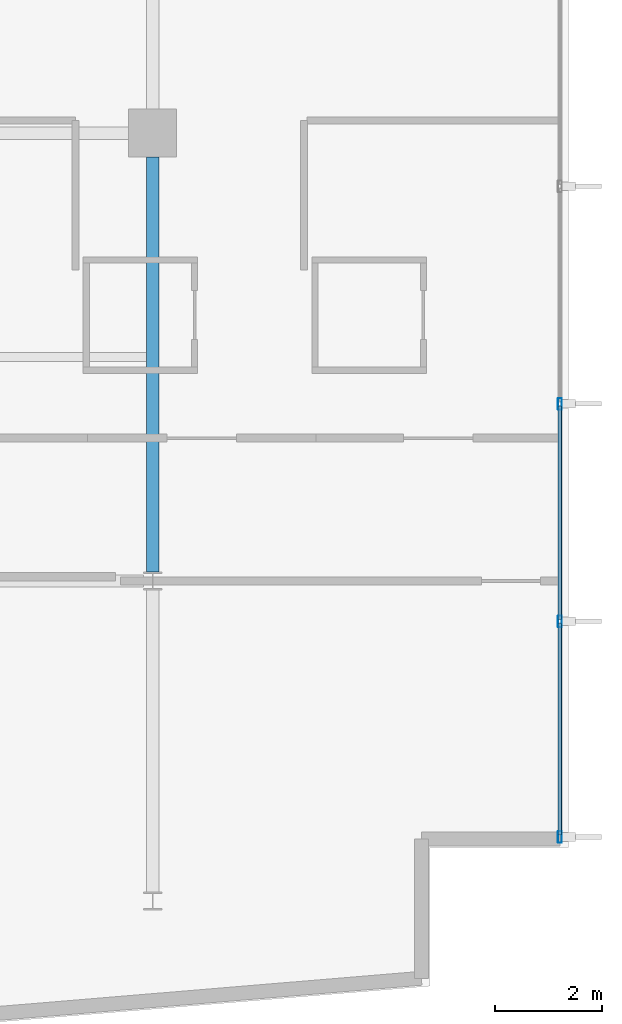
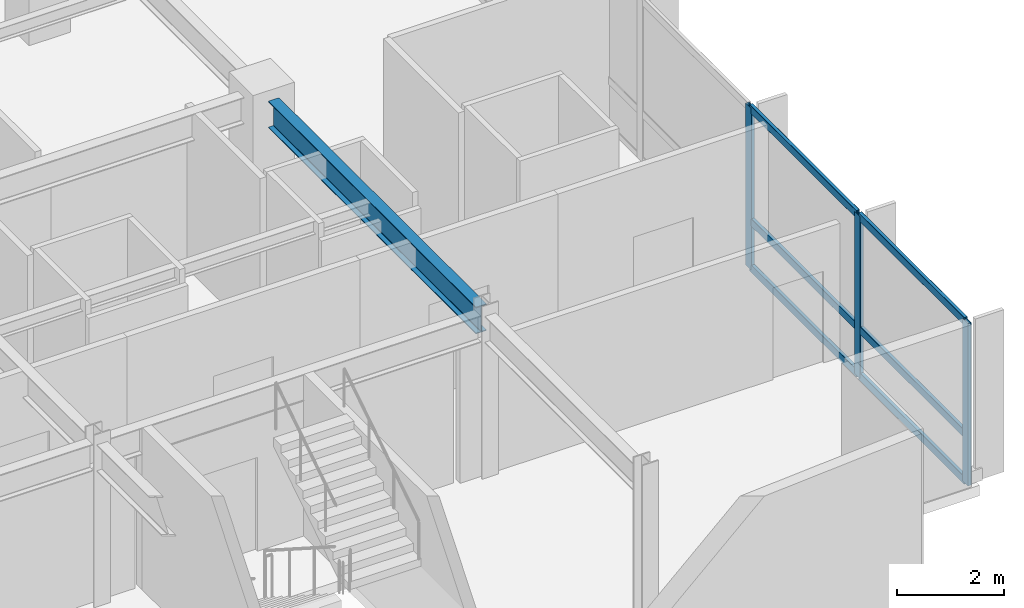
# One storey, part 5 of 21: 9 members, 1 beam, 1 element without a shape of its own.
"""IFC4 building model written with IfcOpenShell, lengths in metres."""

import ifcopenshell
import ifcopenshell.guid

model = None  # the IFC model being written
_history = None  # IfcOwnerHistory: only IFC2X3 demands one
_inside = {}  # id of a spatial element -> (the spatial element, [elements in it])
_under = {}  # id of a project, library or spatial element -> (it, [spatial elements below it])
_declared = {}  # id of a project -> (the project, [libraries it declares])
_typed = {}  # id of a type object -> (the type object, [elements of that type])
_made_of = {}  # id of a material, layer set ... -> (it, [elements and type objects made of it])


def new_model(schema):
    """Start an empty IFC model of exactly this schema.

    Asked for "IFC4X3", IfcOpenShell would pick the latest addendum, in which some entities
    have other attributes; the version numbers below select the first issue.
    IFC2X3 requires an IfcOwnerHistory on every rooted entity: one is made here for all.
    """
    global model, _history
    if schema == "IFC4X3":
        model = ifcopenshell.file(schema_version=(4, 3, 0, 0))
    else:
        model = ifcopenshell.file(schema=schema)
    _inside.clear()
    _under.clear()
    _declared.clear()
    _typed.clear()
    _made_of.clear()
    _history = None
    if model.schema == "IFC2X3":
        org = make("IfcOrganization", Name="unknown")
        user = make(
            "IfcPersonAndOrganization",
            ThePerson=make("IfcPerson", FamilyName="unknown"),
            TheOrganization=org,
        )
        app = make(
            "IfcApplication",
            ApplicationDeveloper=org,
            Version="unknown",
            ApplicationFullName="unknown",
            ApplicationIdentifier="unknown",
        )
        _history = make(
            "IfcOwnerHistory",
            OwningUser=user,
            OwningApplication=app,
            ChangeAction="ADDED",
            CreationDate=0,
        )
    return model


def make(cls, **values):
    """One entity of the class cls with the attributes given. An attribute that is None is left unset."""
    return model.create_entity(
        cls, **{name: value for name, value in values.items() if value is not None}
    )


def rooted(cls, **values):
    """An entity with a GlobalId (a new one), such as an element, a storey or a relation."""
    return make(cls, GlobalId=ifcopenshell.guid.new(), OwnerHistory=_history, **values)


def si_unit(unit_type, name, prefix=None):
    """IfcSIUnit, for example si_unit("LENGTHUNIT", "METRE", prefix="MILLI")."""
    return make("IfcSIUnit", UnitType=unit_type, Prefix=prefix, Name=name)


def assignment(units):
    """IfcUnitAssignment: the units of a project."""
    return None if units is None else make("IfcUnitAssignment", Units=units)


def point(xyz):
    """IfcCartesianPoint."""
    return None if xyz is None else make("IfcCartesianPoint", Coordinates=xyz)


def direction(xyz):
    """IfcDirection."""
    return None if xyz is None else make("IfcDirection", DirectionRatios=xyz)


def frame(location, z_axis=None, x_axis=None):
    """IfcAxis2Placement3D, a coordinate frame: its origin and axes. An axis left out is left unset."""
    return make(
        "IfcAxis2Placement3D",
        Location=point(location),
        Axis=direction(z_axis),
        RefDirection=direction(x_axis),
    )


def frame_2d(location, x_axis=None):
    """IfcAxis2Placement2D, a coordinate frame in the plane: its origin and x axis."""
    return make(
        "IfcAxis2Placement2D", Location=point(location), RefDirection=direction(x_axis)
    )


def origin():
    """The frame at (0, 0, 0) with its axes left unset."""
    return frame((0.0, 0.0, 0.0))


def origin_2d():
    """The frame at (0, 0) in the plane with its x axis left unset."""
    return frame_2d((0.0, 0.0))


def place(relative_to, where):
    """IfcLocalPlacement: puts the frame where relative to a parent placement (None: the world)."""
    return make(
        "IfcLocalPlacement", PlacementRelTo=relative_to, RelativePlacement=where
    )


def context(
    kind, dimensions, precision=None, world=None, true_north=None, identifier=None
):
    """IfcGeometricRepresentationContext, for example the 3D "Model" context."""
    return make(
        "IfcGeometricRepresentationContext",
        ContextIdentifier=identifier,
        ContextType=kind,
        CoordinateSpaceDimension=dimensions,
        Precision=precision,
        WorldCoordinateSystem=world,
        TrueNorth=true_north,
    )


def subcontext(parent, identifier, kind, view, scale=None):
    """IfcGeometricRepresentationSubContext, for example "Body" below "Model"."""
    return make(
        "IfcGeometricRepresentationSubContext",
        ContextIdentifier=identifier,
        ContextType=kind,
        ParentContext=parent,
        TargetScale=scale,
        TargetView=view,
    )


def project(units=None, contexts=None):
    """IfcProject with its units and contexts."""
    return rooted(
        "IfcProject",
        Name="project",
        RepresentationContexts=contexts,
        UnitsInContext=assignment(units),
    )


def spatial(cls, under=None, at=None, **own):
    """A site, building, storey or space (cls), placed at a placement, below another one or the project."""
    s = rooted(cls, ObjectPlacement=at, **own)
    if under is not None:
        _under.setdefault(under.id(), (under, []))[1].append(s)
    return s


def profile(cls, at=None, kind="AREA", **sizes):
    """A parametric profile (cls). Its sizes go by their IFC names, for example OverallWidth=200.0."""
    return make(cls, ProfileType=kind, Position=at, **sizes)


def hollow_rectangle(**sizes):
    """IfcRectangleHollowProfileDef."""
    return profile("IfcRectangleHollowProfileDef", **sizes)


def i_section(**sizes):
    """IfcIShapeProfileDef."""
    return profile("IfcIShapeProfileDef", **sizes)


def extrude(swept, where, along, depth):
    """IfcExtrudedAreaSolid: the profile swept, set in the frame where, extruded along a direction by depth."""
    return make(
        "IfcExtrudedAreaSolid",
        SweptArea=swept,
        Position=where,
        ExtrudedDirection=direction(along),
        Depth=depth,
    )


def shape(context_of_items, identifier, shape_type, items):
    """IfcShapeRepresentation: the items that make up one representation, for example the "Body"."""
    return make(
        "IfcShapeRepresentation",
        ContextOfItems=context_of_items,
        RepresentationIdentifier=identifier,
        RepresentationType=shape_type,
        Items=items,
    )


def material(Name=None, Category=None):
    """IfcMaterial."""
    return make("IfcMaterial", Name=Name, Category=Category)


def layer(
    of_material, thickness, ventilated=None, Name=None, Category=None, Priority=None
):
    """IfcMaterialLayer: one layer of a wall or slab, of a material (None: an air gap)."""
    return make(
        "IfcMaterialLayer",
        Material=of_material,
        LayerThickness=thickness,
        IsVentilated=ventilated,
        Name=Name,
        Category=Category,
        Priority=Priority,
    )


def layer_set(layers, Name=None):
    """IfcMaterialLayerSet."""
    return make("IfcMaterialLayerSet", MaterialLayers=layers, LayerSetName=Name)


def material_profile(
    of_material, cross_section, Name=None, Category=None, Priority=None
):
    """IfcMaterialProfile: a cross section and its material."""
    return make(
        "IfcMaterialProfile",
        Name=Name,
        Material=of_material,
        Profile=cross_section,
        Priority=Priority,
        Category=Category,
    )


def profile_set(profiles, Name=None, composite=None):
    """IfcMaterialProfileSet."""
    return make(
        "IfcMaterialProfileSet",
        Name=Name,
        MaterialProfiles=profiles,
        CompositeProfile=composite,
    )


def made_of(thing, what):
    """Note that an element or type object is made of a material, layer set ...; save() writes the relation."""
    if what is not None:
        _made_of.setdefault(what.id(), (what, []))[1].append(thing)
    return thing


def type_object(cls, material=None, **own):
    """A type object (cls), such as IfcWallType, which elements share."""
    return made_of(rooted(cls, **own), material)


def element(
    cls,
    number,
    at=None,
    inside=None,
    cuts=None,
    type_object=None,
    material=None,
    context=None,
    identifier="Body",
    shape_type=None,
    held_by="IfcProductDefinitionShape",
    body=None,
    shapes=None,
    **own,
):
    """One element of the class cls, such as IfcWall. Its Tag is "e" and its number.

    at: its placement. inside: the storey or other place that contains it. cuts: it is an
    opening in that element (IfcRelVoidsElement). A single representation is given by context,
    identifier, shape_type and body (its items); several are given by shapes. held_by: the class
    of the entity that holds the representations. save() writes the other relations.
    """
    e = rooted(cls, Tag="e%d" % number, ObjectPlacement=at, **own)
    if body is not None:
        shapes = [shape(context, identifier, shape_type, body)]
    if shapes is not None:
        e.Representation = make(held_by, Representations=shapes)
    if inside is not None:
        _inside.setdefault(inside.id(), (inside, []))[1].append(e)
    if cuts is not None:
        rooted(
            "IfcRelVoidsElement", RelatingBuildingElement=cuts, RelatedOpeningElement=e
        )
    if type_object is not None:
        _typed.setdefault(type_object.id(), (type_object, []))[1].append(e)
    return made_of(e, material)


def aggregate(whole, parts):
    """IfcRelAggregates: a whole, such as a stair, and the parts it consists of."""
    return rooted("IfcRelAggregates", RelatingObject=whole, RelatedObjects=parts)


def save(model, path):
    """Write the relations noted so far, then the file.

    IfcRelAggregates (storeys below a building ...), IfcRelContainedInSpatialStructure (elements
    in a storey), IfcRelDefinesByType, IfcRelAssociatesMaterial and IfcRelDeclares: one each for
    every whole, place, type object, material and project.
    """
    for whole, parts in _under.values():
        aggregate(whole, parts)
    for where, things in _inside.values():
        rooted(
            "IfcRelContainedInSpatialStructure",
            RelatedElements=things,
            RelatingStructure=where,
        )
    for kind, things in _typed.values():
        rooted("IfcRelDefinesByType", RelatedObjects=things, RelatingType=kind)
    for what, things in _made_of.values():
        rooted("IfcRelAssociatesMaterial", RelatedObjects=things, RelatingMaterial=what)
    for by, libraries in _declared.values():
        rooted("IfcRelDeclares", RelatingContext=by, RelatedDefinitions=libraries)
    model.write(path)


model = new_model("IFC4")

# Units and contexts
model_context = context("Model", 3, precision=1e-05, world=origin(), true_north=direction((0.0, 1.0)))
body_context = subcontext(model_context, "Body", "Model", "MODEL_VIEW")
ifc_project = project(units=[si_unit("LENGTHUNIT", "METRE"), si_unit("AREAUNIT", "SQUARE_METRE"), si_unit("VOLUMEUNIT", "CUBIC_METRE"), si_unit("PLANEANGLEUNIT", "RADIAN"), si_unit("MASSUNIT", "GRAM", prefix="KILO")], contexts=[model_context])

# Site, building, storey
site_placement = place(None, origin())
site = spatial("IfcSite", under=ifc_project, at=site_placement, CompositionType="ELEMENT")
building_placement = place(site_placement, origin())
building = spatial("IfcBuilding", under=site, at=building_placement, Name="Varnakote Quay Hospital", CompositionType="ELEMENT")
storey_placement = place(building_placement, frame((0.0, 0.0, 42.25)))
storey = spatial("IfcBuildingStorey", under=building, at=storey_placement, Name="L10", CompositionType="ELEMENT", Elevation=42.25)

# Beam
ifc_material_1 = material(Name="Structural steel AS/NZS 3679.1 Grade 350 L0 (fy 340 MPa)", Category="steel")
ifc_material_profile_1 = material_profile(ifc_material_1, i_section(OverallWidth=0.22900390625, OverallDepth=0.612060546875, WebThickness=0.011962890625, FlangeThickness=0.01953125, FilletRadius=0.013916015625, at=origin_2d()), Name="610UB125")
ifc_profile_set_1 = profile_set([ifc_material_profile_1], Name="Structural steel AS/NZS 3679.1 Grade 350 L0 (fy 340 MPa)")
beam_type = type_object("IfcBeamType", Name="BM-STL-610UB125", PredefinedType="BEAM", material=ifc_profile_set_1)
beam_placement = place(storey_placement, frame((50.39990234375, 12.169921875, 3.404052734375), z_axis=(0.0, 1.0, 0.0), x_axis=(-1.0, 0.0, 0.0)))
element("IfcBeam", 1, at=beam_placement, inside=storey, type_object=beam_type, Name="L10 Primary Tie Beam", PredefinedType="BEAM", context=body_context, shape_type="SweptSolid", body=[
    extrude(i_section(OverallWidth=0.22900390625, OverallDepth=0.612060546875, WebThickness=0.011962890625, FlangeThickness=0.01953125, FilletRadius=0.013916015625, at=origin_2d()), origin(), (0.0, 0.0, 1.0), 7.780029296875),
])

# Curtain wall, members
ifc_material_2 = material(Name="Anodised aluminium 6063-T6 Bronze", Category="aluminium")
ifc_layer = layer(ifc_material_2, 0.18994140625)
ifc_layer_set = layer_set([ifc_layer], Name="Anodised aluminium 6063-T6 Bronze")
curtain_wall_type = type_object("IfcCurtainWallType", Name="CW-SYS-2", PredefinedType="NOTDEFINED", material=ifc_layer_set)
curtain_wall_placement = place(storey_placement, origin())
curtain_wall = element("IfcCurtainWall", 2, at=curtain_wall_placement, inside=storey, type_object=curtain_wall_type, Name="L10 Unitised Bronze Curtain Wall 1", PredefinedType="NOTDEFINED")
ifc_material_3 = material(Name="Anodised aluminium 6063-T6 Bronze", Category="aluminium")
ifc_material_profile_2 = material_profile(ifc_material_3, hollow_rectangle(XDim=0.074951171875, YDim=0.219970703125, WallThickness=0.00439453125, InnerFilletRadius=0.00439453125, OuterFilletRadius=0.009033203125, at=origin_2d()), Name="CW-MULL-220x75")
ifc_profile_set_2 = profile_set([ifc_material_profile_2], Name="Anodised aluminium 6063-T6 Bronze")
member_type_1 = type_object("IfcMemberType", Name="CW-MULL-220x75", PredefinedType="MULLION", material=ifc_profile_set_2)
member_1_placement = place(storey_placement, frame((58.0400390625, 7.197509765625, 0.0), z_axis=(0.0, 0.0, 1.0), x_axis=(-1.0, 0.0, 0.0)))
member_1 = element("IfcMember", 3, at=member_1_placement, type_object=member_type_1, Name="-2-L10-1 mullion 1", PredefinedType="MULLION", context=body_context, shape_type="SweptSolid", body=[
    extrude(hollow_rectangle(XDim=0.074951171875, YDim=0.219970703125, WallThickness=0.00439453125, InnerFilletRadius=0.00439453125, OuterFilletRadius=0.009033203125, at=origin_2d()), origin(), (0.0, 0.0, 1.0), 3.7099609375),
])
member_2_placement = place(storey_placement, frame((58.0400390625, 11.239990234375, 0.0), z_axis=(0.0, 0.0, 1.0), x_axis=(-1.0, 0.0, 0.0)))
member_2 = element("IfcMember", 4, at=member_2_placement, type_object=member_type_1, Name="-2-L10-1 mullion 2", PredefinedType="MULLION", context=body_context, shape_type="SweptSolid", body=[
    extrude(hollow_rectangle(XDim=0.074951171875, YDim=0.219970703125, WallThickness=0.00439453125, InnerFilletRadius=0.00439453125, OuterFilletRadius=0.009033203125, at=origin_2d()), origin(), (0.0, 0.0, 1.0), 3.7099609375),
])
member_3_placement = place(storey_placement, frame((58.0400390625, 15.320068359375, 0.0), z_axis=(0.0, 0.0, 1.0), x_axis=(-1.0, 0.0, 0.0)))
member_3 = element("IfcMember", 5, at=member_3_placement, type_object=member_type_1, Name="-2-L10-1 mullion 3", PredefinedType="MULLION", context=body_context, shape_type="SweptSolid", body=[
    extrude(hollow_rectangle(XDim=0.074951171875, YDim=0.219970703125, WallThickness=0.00439453125, InnerFilletRadius=0.00439453125, OuterFilletRadius=0.009033203125, at=origin_2d()), origin(), (0.0, 0.0, 1.0), 3.7099609375),
])
ifc_material_4 = material(Name="Anodised aluminium 6063-T6 Bronze", Category="aluminium")
ifc_material_profile_3 = material_profile(ifc_material_4, hollow_rectangle(XDim=0.074951171875, YDim=0.179931640625, WallThickness=0.004150390625, InnerFilletRadius=0.004150390625, OuterFilletRadius=0.00830078125, at=origin_2d()), Name="CW-TRAN-180x75")
ifc_profile_set_3 = profile_set([ifc_material_profile_3], Name="Anodised aluminium 6063-T6 Bronze")
member_type_2 = type_object("IfcMemberType", Name="CW-TRAN-180x75", PredefinedType="USERDEFINED", material=ifc_profile_set_3)
member_4_placement = place(storey_placement, frame((58.0400390625, 7.235107421875, 0.03759765625), z_axis=(0.0, 1.0, 0.0), x_axis=(-1.0, 0.0, 0.0)))
member_4 = element("IfcMember", 6, at=member_4_placement, type_object=member_type_2, Name="-2-L10-1 transom 1.1", ObjectType="TRANSOM", PredefinedType="USERDEFINED", context=body_context, shape_type="SweptSolid", body=[
    extrude(hollow_rectangle(XDim=0.074951171875, YDim=0.179931640625, WallThickness=0.004150390625, InnerFilletRadius=0.004150390625, OuterFilletRadius=0.00830078125, at=origin_2d()), origin(), (0.0, 0.0, 1.0), 3.96728515625),
])
member_5_placement = place(storey_placement, frame((58.0400390625, 7.235107421875, 1.10009765625), z_axis=(0.0, 1.0, 0.0), x_axis=(-1.0, 0.0, 0.0)))
member_5 = element("IfcMember", 7, at=member_5_placement, type_object=member_type_2, Name="-2-L10-1 transom 1.2", ObjectType="TRANSOM", PredefinedType="USERDEFINED", context=body_context, shape_type="SweptSolid", body=[
    extrude(hollow_rectangle(XDim=0.074951171875, YDim=0.179931640625, WallThickness=0.004150390625, InnerFilletRadius=0.004150390625, OuterFilletRadius=0.00830078125, at=origin_2d()), origin(), (0.0, 0.0, 1.0), 3.96728515625),
])
member_6_placement = place(storey_placement, frame((58.0400390625, 7.235107421875, 3.672607421875), z_axis=(0.0, 1.0, 0.0), x_axis=(-1.0, 0.0, 0.0)))
member_6 = element("IfcMember", 8, at=member_6_placement, type_object=member_type_2, Name="-2-L10-1 transom 1.3", ObjectType="TRANSOM", PredefinedType="USERDEFINED", context=body_context, shape_type="SweptSolid", body=[
    extrude(hollow_rectangle(XDim=0.074951171875, YDim=0.179931640625, WallThickness=0.004150390625, InnerFilletRadius=0.004150390625, OuterFilletRadius=0.00830078125, at=origin_2d()), origin(), (0.0, 0.0, 1.0), 3.96728515625),
])
member_7_placement = place(storey_placement, frame((58.0400390625, 11.277587890625, 0.03759765625), z_axis=(0.0, 1.0, 0.0), x_axis=(-1.0, 0.0, 0.0)))
member_7 = element("IfcMember", 9, at=member_7_placement, type_object=member_type_2, Name="-2-L10-1 transom 2.1", ObjectType="TRANSOM", PredefinedType="USERDEFINED", context=body_context, shape_type="SweptSolid", body=[
    extrude(hollow_rectangle(XDim=0.074951171875, YDim=0.179931640625, WallThickness=0.004150390625, InnerFilletRadius=0.004150390625, OuterFilletRadius=0.00830078125, at=origin_2d()), origin(), (0.0, 0.0, 1.0), 4.0048828125),
])
member_8_placement = place(storey_placement, frame((58.0400390625, 11.277587890625, 1.10009765625), z_axis=(0.0, 1.0, 0.0), x_axis=(-1.0, 0.0, 0.0)))
member_8 = element("IfcMember", 10, at=member_8_placement, type_object=member_type_2, Name="-2-L10-1 transom 2.2", ObjectType="TRANSOM", PredefinedType="USERDEFINED", context=body_context, shape_type="SweptSolid", body=[
    extrude(hollow_rectangle(XDim=0.074951171875, YDim=0.179931640625, WallThickness=0.004150390625, InnerFilletRadius=0.004150390625, OuterFilletRadius=0.00830078125, at=origin_2d()), origin(), (0.0, 0.0, 1.0), 4.0048828125),
])
member_9_placement = place(storey_placement, frame((58.0400390625, 11.277587890625, 3.672607421875), z_axis=(0.0, 1.0, 0.0), x_axis=(-1.0, 0.0, 0.0)))
member_9 = element("IfcMember", 11, at=member_9_placement, type_object=member_type_2, Name="-2-L10-1 transom 2.3", ObjectType="TRANSOM", PredefinedType="USERDEFINED", context=body_context, shape_type="SweptSolid", body=[
    extrude(hollow_rectangle(XDim=0.074951171875, YDim=0.179931640625, WallThickness=0.004150390625, InnerFilletRadius=0.004150390625, OuterFilletRadius=0.00830078125, at=origin_2d()), origin(), (0.0, 0.0, 1.0), 4.0048828125),
])
aggregate(curtain_wall, [member_1, member_2, member_3, member_4, member_5, member_6, member_7, member_8, member_9])

save(model, "model.ifc")
